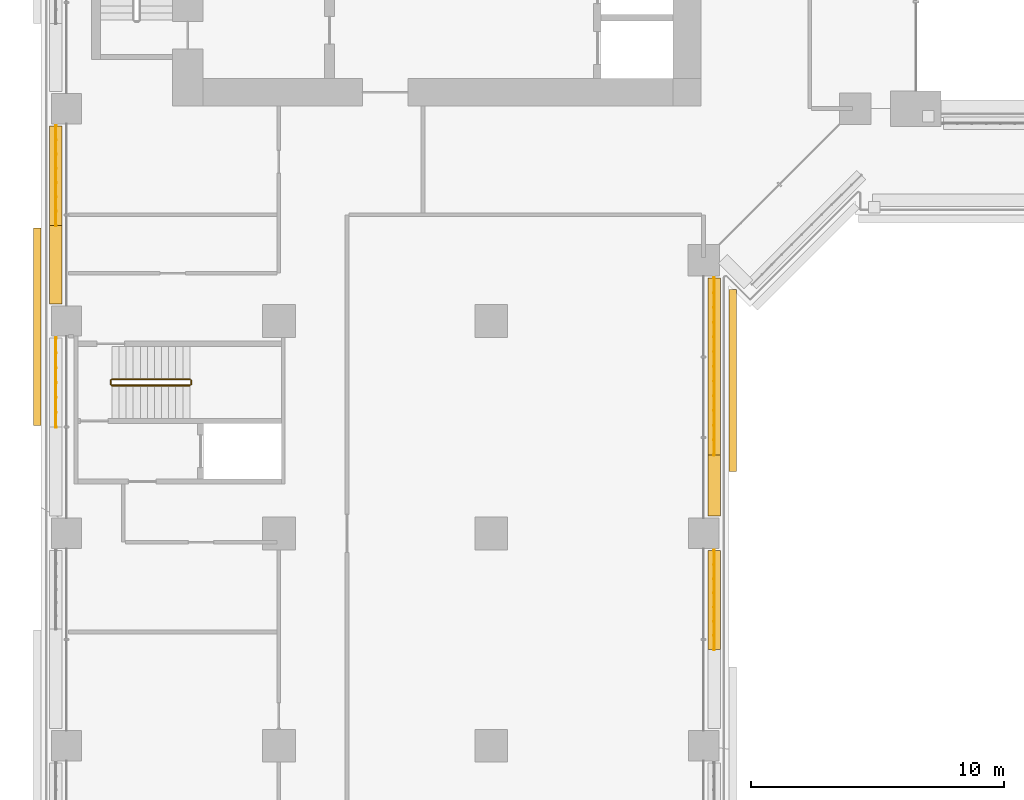
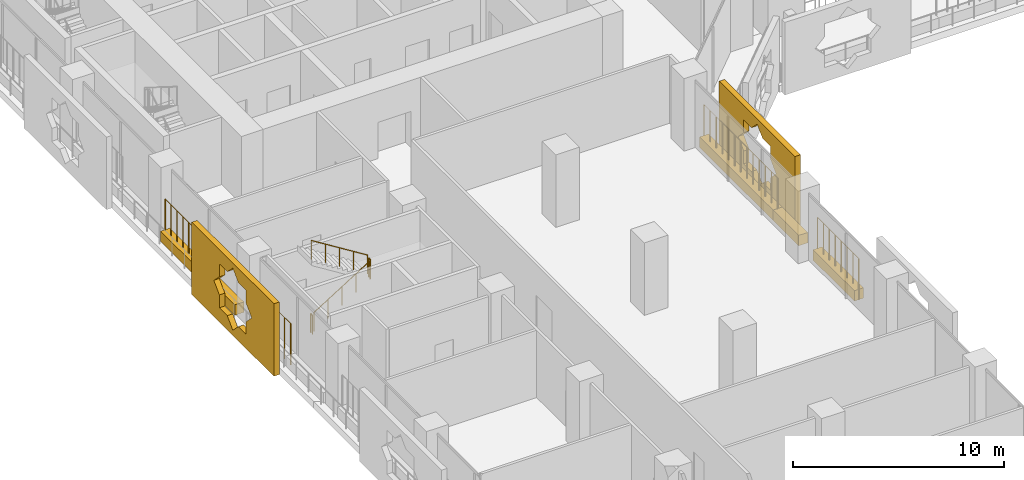
# One storey, part 19 of 27: 8 railings, 7 coverings.
"""IFC4 building model written with IfcOpenShell, lengths in metres."""

from ifc_helpers import new_model, si_unit, direction, frame, origin, origin_2d, place, context, subcontext, project, spatial, polyline, rectangle, circle, outline, extrude, material, material_profile, profile_set, type_object, element, save


model = new_model("IFC4")

# Units and contexts
model_context = context("Model", 3, precision=1e-05, world=origin(), true_north=direction((0.0, 1.0)))
body_context = subcontext(model_context, "Body", "Model", "MODEL_VIEW")
ifc_project = project(units=[si_unit("LENGTHUNIT", "METRE"), si_unit("AREAUNIT", "SQUARE_METRE"), si_unit("VOLUMEUNIT", "CUBIC_METRE"), si_unit("PLANEANGLEUNIT", "RADIAN"), si_unit("MASSUNIT", "GRAM", prefix="KILO")], contexts=[model_context])

# Site, building, storey
site_placement = place(None, origin())
site = spatial("IfcSite", under=ifc_project, at=site_placement, CompositionType="ELEMENT")
building_placement = place(site_placement, origin())
building = spatial("IfcBuilding", under=site, at=building_placement, Name="Kawkab Arch Medical Tower", CompositionType="ELEMENT")
storey_placement = place(building_placement, frame((0.0, 0.0, 43.39990234375)))
storey = spatial("IfcBuildingStorey", under=building, at=storey_placement, Name="L09", CompositionType="ELEMENT", Elevation=43.39990234375)

# Coverings
ifc_material_1 = material(Name="Bronze anodised aluminium mashrabiya panel, eight-point star pattern", Category="aluminium")
ifc_material_profile_1 = material_profile(ifc_material_1, outline(polyline([(-3.60009765625, -2.10009765625), (3.60009765625, -2.10009765625), (3.60009765625, 2.10009765625), (-3.60009765625, 2.10009765625), (-3.60009765625, -2.10009765625)]), holes=[polyline([(1.800048828125, 0.0), (1.272705078125, 0.527099609375), (1.272705078125, 1.272705078125), (0.527099609375, 1.272705078125), (0.0, 1.800048828125), (-0.527099609375, 1.272705078125), (-1.272705078125, 1.272705078125), (-1.272705078125, 0.527099609375), (-1.800048828125, 0.0), (-1.272705078125, -0.527099609375), (-1.272705078125, -1.272705078125), (-0.527099609375, -1.272705078125), (0.0, -1.800048828125), (0.527099609375, -1.272705078125), (1.272705078125, -1.272705078125), (1.272705078125, -0.527099609375), (1.800048828125, 0.0)])]), Name="Mashrabiya panel 7200x4200")
ifc_profile_set_1 = profile_set([ifc_material_profile_1], Name="Bronze anodised aluminium mashrabiya panel, eight-point star pattern")
covering_type_1 = type_object("IfcCoveringType", Name="Mashrabiya panel 7200 x 4200", PredefinedType="USERDEFINED", material=ifc_profile_set_1)
covering_1_placement = place(storey_placement, frame((26.199951171875, -35.944580078125, 1.7001953125), z_axis=(1.0, 0.0, 0.0), x_axis=(0.0, 1.0, 0.0)))
element("IfcCovering", 1, at=covering_1_placement, inside=storey, type_object=covering_type_1, Name="Mashrabiya panel L09.LOG-01-02.16", ObjectType="SCREEN", PredefinedType="USERDEFINED", context=body_context, shape_type="SweptSolid", body=[
    extrude(outline(polyline([(-3.60009765625, -2.10009765625), (3.60009765625, -2.10009765625), (3.60009765625, 2.10009765625), (-3.60009765625, 2.10009765625), (-3.60009765625, -2.10009765625)]), holes=[polyline([(1.800048828125, 0.0), (1.272705078125, 0.527099609375), (1.272705078125, 1.272705078125), (0.527099609375, 1.272705078125), (0.0, 1.800048828125), (-0.527099609375, 1.272705078125), (-1.272705078125, 1.272705078125), (-1.272705078125, 0.527099609375), (-1.800048828125, 0.0), (-1.272705078125, -0.527099609375), (-1.272705078125, -1.272705078125), (-0.527099609375, -1.272705078125), (0.0, -1.800048828125), (0.527099609375, -1.272705078125), (1.272705078125, -1.272705078125), (1.272705078125, -0.527099609375), (1.800048828125, 0.0)])]), origin(), (0.0, 0.0, 1.0), 0.300048828125),
])
ifc_material_2 = material(Name="Bronze anodised aluminium mashrabiya panel, eight-point star pattern", Category="aluminium")
ifc_material_profile_2 = material_profile(ifc_material_2, outline(polyline([(-3.89990234375, -2.10009765625), (3.89990234375, -2.10009765625), (3.89990234375, 2.10009765625), (-3.89990234375, 2.10009765625), (-3.89990234375, -2.10009765625)]), holes=[polyline([(1.800048828125, 0.0), (1.272705078125, 0.527099609375), (1.272705078125, 1.272705078125), (0.527099609375, 1.272705078125), (0.0, 1.800048828125), (-0.527099609375, 1.272705078125), (-1.272705078125, 1.272705078125), (-1.272705078125, 0.527099609375), (-1.800048828125, 0.0), (-1.272705078125, -0.527099609375), (-1.272705078125, -1.272705078125), (-0.527099609375, -1.272705078125), (0.0, -1.800048828125), (0.527099609375, -1.272705078125), (1.272705078125, -1.272705078125), (1.272705078125, -0.527099609375), (1.800048828125, 0.0)])]), Name="Mashrabiya panel 7800x4200")
ifc_profile_set_2 = profile_set([ifc_material_profile_2], Name="Bronze anodised aluminium mashrabiya panel, eight-point star pattern")
covering_type_2 = type_object("IfcCoveringType", Name="Mashrabiya panel 7800 x 4200", PredefinedType="USERDEFINED", material=ifc_profile_set_2)
covering_2_placement = place(storey_placement, frame((-1.0, -33.82470703125, 1.7001953125), z_axis=(-1.0, 0.0, 0.0), x_axis=(0.0, -1.0, 0.0)))
element("IfcCovering", 2, at=covering_2_placement, inside=storey, type_object=covering_type_2, Name="Mashrabiya panel L09.LOG-01-02.4", ObjectType="SCREEN", PredefinedType="USERDEFINED", context=body_context, shape_type="SweptSolid", body=[
    extrude(outline(polyline([(-3.89990234375, -2.10009765625), (3.89990234375, -2.10009765625), (3.89990234375, 2.10009765625), (-3.89990234375, 2.10009765625), (-3.89990234375, -2.10009765625)]), holes=[polyline([(1.800048828125, 0.0), (1.272705078125, 0.527099609375), (1.272705078125, 1.272705078125), (0.527099609375, 1.272705078125), (0.0, 1.800048828125), (-0.527099609375, 1.272705078125), (-1.272705078125, 1.272705078125), (-1.272705078125, 0.527099609375), (-1.800048828125, 0.0), (-1.272705078125, -0.527099609375), (-1.272705078125, -1.272705078125), (-0.527099609375, -1.272705078125), (0.0, -1.800048828125), (0.527099609375, -1.272705078125), (1.272705078125, -1.272705078125), (1.272705078125, -0.527099609375), (1.800048828125, 0.0)])]), origin(), (0.0, 0.0, 1.0), 0.300048828125),
])
ifc_material_3 = material(Name="Planting soil in a precast trough", Category="concrete")
ifc_material_profile_3 = material_profile(ifc_material_3, rectangle(XDim=0.5, YDim=0.60009765625, at=origin_2d()), Name="Trough 500x600")
ifc_profile_set_3 = profile_set([ifc_material_profile_3], Name="Planting soil in a precast trough")
covering_type_3 = type_object("IfcCoveringType", Name="Planter trough 500 x 600", PredefinedType="USERDEFINED", material=ifc_profile_set_3)
covering_3_placement = place(storey_placement, frame((-0.419921875, -32.919921875, 0.300048828125), z_axis=(0.0, 1.0, 0.0), x_axis=(-1.0, 0.0, 0.0)))
element("IfcCovering", 3, at=covering_3_placement, inside=storey, type_object=covering_type_3, Name="Planter L09.LOG-01-02.16", ObjectType="PLANTER", PredefinedType="USERDEFINED", context=body_context, shape_type="SweptSolid", body=[
    extrude(rectangle(XDim=0.5, YDim=0.60009765625, at=origin_2d()), origin(), (0.0, 0.0, 1.0), 3.100830078125),
])
covering_4_placement = place(storey_placement, frame((-0.419921875, -29.819091796875, 0.300048828125), z_axis=(0.0, 1.0, 0.0), x_axis=(-1.0, 0.0, 0.0)))
element("IfcCovering", 4, at=covering_4_placement, inside=storey, type_object=covering_type_3, Name="Planter L09.LOG-01-02.17", ObjectType="PLANTER", PredefinedType="USERDEFINED", context=body_context, shape_type="SweptSolid", body=[
    extrude(rectangle(XDim=0.5, YDim=0.60009765625, at=origin_2d()), origin(), (0.0, 0.0, 1.0), 3.939208984375),
])
covering_5_placement = place(storey_placement, frame((25.6201171875, -31.905029296875, 0.300048828125), z_axis=(0.0, -1.0, 0.0), x_axis=(1.0, 0.0, 0.0)))
element("IfcCovering", 5, at=covering_5_placement, inside=storey, type_object=covering_type_3, Name="Planter L09.LOG-01-02.49", ObjectType="PLANTER", PredefinedType="USERDEFINED", context=body_context, shape_type="SweptSolid", body=[
    extrude(rectangle(XDim=0.5, YDim=0.60009765625, at=origin_2d()), origin(), (0.0, 0.0, 1.0), 6.988037109375),
])
covering_6_placement = place(storey_placement, frame((25.6201171875, -38.89306640625, 0.300048828125), z_axis=(0.0, -1.0, 0.0), x_axis=(1.0, 0.0, 0.0)))
element("IfcCovering", 6, at=covering_6_placement, inside=storey, type_object=covering_type_3, Name="Planter L09.LOG-01-02.50", ObjectType="PLANTER", PredefinedType="USERDEFINED", context=body_context, shape_type="SweptSolid", body=[
    extrude(rectangle(XDim=0.5, YDim=0.60009765625, at=origin_2d()), origin(), (0.0, 0.0, 1.0), 2.427001953125),
])
covering_7_placement = place(storey_placement, frame((25.6201171875, -42.679931640625, 0.300048828125), z_axis=(0.0, -1.0, 0.0), x_axis=(1.0, 0.0, 0.0)))
element("IfcCovering", 7, at=covering_7_placement, inside=storey, type_object=covering_type_3, Name="Planter L09.LOG-01-02.51", ObjectType="PLANTER", PredefinedType="USERDEFINED", context=body_context, shape_type="SweptSolid", body=[
    extrude(rectangle(XDim=0.5, YDim=0.60009765625, at=origin_2d()), origin(), (0.0, 0.0, 1.0), 3.921142578125),
])

# Railings
ifc_material_4 = material(Name="Bronze anodised aluminium trellis for climbing plants", Category="aluminium")
railing_type_1 = type_object("IfcRailingType", Name="Planting trellis 2400", PredefinedType="USERDEFINED", material=ifc_material_4)
railing_1_placement = place(storey_placement, frame((-0.419921875, -37.800048828125, 0.0)))
element("IfcRailing", 8, at=railing_1_placement, inside=storey, type_object=railing_type_1, Name="Planting trellis L09.LOG-01-02.15", ObjectType="TRELLIS", PredefinedType="USERDEFINED", context=body_context, shape_type="SweptSolid", body=[
    extrude(circle(Radius=0.01513671875, at=origin_2d()), frame((0.0, 0.0, 2.384765625), z_axis=(0.0, 1.0, 0.0), x_axis=(-1.0, 0.0, 0.0)), (0.0, 0.0, 1.0), 3.52001953125),
    extrude(circle(Radius=0.030029296875, at=origin_2d()), origin(), (0.0, 0.0, 1.0), 2.369873046875),
    extrude(circle(Radius=0.030029296875, at=origin_2d()), frame((0.0, 0.586669921875, 0.0)), (0.0, 0.0, 1.0), 2.369873046875),
    extrude(circle(Radius=0.030029296875, at=origin_2d()), frame((0.0, 1.17333984375, 0.0)), (0.0, 0.0, 1.0), 2.369873046875),
    extrude(circle(Radius=0.030029296875, at=origin_2d()), frame((0.0, 1.760009765625, 0.0)), (0.0, 0.0, 1.0), 2.369873046875),
    extrude(circle(Radius=0.030029296875, at=origin_2d()), frame((0.0, 2.3466796875, 0.0)), (0.0, 0.0, 1.0), 2.369873046875),
    extrude(circle(Radius=0.030029296875, at=origin_2d()), frame((0.0, 2.933349609375, 0.0)), (0.0, 0.0, 1.0), 2.369873046875),
    extrude(circle(Radius=0.030029296875, at=origin_2d()), frame((0.0, 3.52001953125, 0.0)), (0.0, 0.0, 1.0), 2.369873046875),
])
railing_2_placement = place(storey_placement, frame((-0.419921875, -29.819091796875, 0.0)))
element("IfcRailing", 9, at=railing_2_placement, inside=storey, type_object=railing_type_1, Name="Planting trellis L09.LOG-01-02.17", ObjectType="TRELLIS", PredefinedType="USERDEFINED", context=body_context, shape_type="SweptSolid", body=[
    extrude(circle(Radius=0.01513671875, at=origin_2d()), frame((0.0, 0.0, 2.384765625), z_axis=(0.0, 1.0, 0.0), x_axis=(-1.0, 0.0, 0.0)), (0.0, 0.0, 1.0), 3.939208984375),
    extrude(circle(Radius=0.030029296875, at=origin_2d()), origin(), (0.0, 0.0, 1.0), 2.369873046875),
    extrude(circle(Radius=0.030029296875, at=origin_2d()), frame((0.0, 0.562744140625, 0.0)), (0.0, 0.0, 1.0), 2.369873046875),
    extrude(circle(Radius=0.030029296875, at=origin_2d()), frame((0.0, 1.12548828125, 0.0)), (0.0, 0.0, 1.0), 2.369873046875),
    extrude(circle(Radius=0.030029296875, at=origin_2d()), frame((0.0, 1.688232421875, 0.0)), (0.0, 0.0, 1.0), 2.369873046875),
    extrude(circle(Radius=0.030029296875, at=origin_2d()), frame((0.0, 2.2509765625, 0.0)), (0.0, 0.0, 1.0), 2.369873046875),
    extrude(circle(Radius=0.030029296875, at=origin_2d()), frame((0.0, 2.813720703125, 0.0)), (0.0, 0.0, 1.0), 2.369873046875),
    extrude(circle(Radius=0.030029296875, at=origin_2d()), frame((0.0, 3.37646484375, 0.0)), (0.0, 0.0, 1.0), 2.369873046875),
    extrude(circle(Radius=0.030029296875, at=origin_2d()), frame((0.0, 3.939208984375, 0.0)), (0.0, 0.0, 1.0), 2.369873046875),
])
railing_3_placement = place(storey_placement, frame((25.6201171875, -31.905029296875, 0.0)))
element("IfcRailing", 10, at=railing_3_placement, inside=storey, type_object=railing_type_1, Name="Planting trellis L09.LOG-01-02.49", ObjectType="TRELLIS", PredefinedType="USERDEFINED", context=body_context, shape_type="SweptSolid", body=[
    extrude(circle(Radius=0.01513671875, at=origin_2d()), frame((0.0, 0.0, 2.384765625), z_axis=(0.0, -1.0, 0.0), x_axis=(1.0, 0.0, 0.0)), (0.0, 0.0, 1.0), 6.988037109375),
    extrude(circle(Radius=0.030029296875, at=origin_2d()), origin(), (0.0, 0.0, 1.0), 2.369873046875),
    extrude(circle(Radius=0.030029296875, at=origin_2d()), frame((0.0, -0.582275390625, 0.0)), (0.0, 0.0, 1.0), 2.369873046875),
    extrude(circle(Radius=0.030029296875, at=origin_2d()), frame((0.0, -1.16455078125, 0.0)), (0.0, 0.0, 1.0), 2.369873046875),
    extrude(circle(Radius=0.030029296875, at=origin_2d()), frame((0.0, -1.7470703125, 0.0)), (0.0, 0.0, 1.0), 2.369873046875),
    extrude(circle(Radius=0.030029296875, at=origin_2d()), frame((0.0, -2.329345703125, 0.0)), (0.0, 0.0, 1.0), 2.369873046875),
    extrude(circle(Radius=0.030029296875, at=origin_2d()), frame((0.0, -2.91162109375, 0.0)), (0.0, 0.0, 1.0), 2.369873046875),
    extrude(circle(Radius=0.030029296875, at=origin_2d()), frame((0.0, -3.494140625, 0.0)), (0.0, 0.0, 1.0), 2.369873046875),
    extrude(circle(Radius=0.030029296875, at=origin_2d()), frame((0.0, -4.076416015625, 0.0)), (0.0, 0.0, 1.0), 2.369873046875),
    extrude(circle(Radius=0.030029296875, at=origin_2d()), frame((0.0, -4.65869140625, 0.0)), (0.0, 0.0, 1.0), 2.369873046875),
    extrude(circle(Radius=0.030029296875, at=origin_2d()), frame((0.0, -5.240966796875, 0.0)), (0.0, 0.0, 1.0), 2.369873046875),
    extrude(circle(Radius=0.030029296875, at=origin_2d()), frame((0.0, -5.8232421875, 0.0)), (0.0, 0.0, 1.0), 2.369873046875),
    extrude(circle(Radius=0.030029296875, at=origin_2d()), frame((0.0, -6.40576171875, 0.0)), (0.0, 0.0, 1.0), 2.369873046875),
    extrude(circle(Radius=0.030029296875, at=origin_2d()), frame((0.0, -6.988037109375, 0.0)), (0.0, 0.0, 1.0), 2.369873046875),
])
railing_4_placement = place(storey_placement, frame((25.6201171875, -42.679931640625, 0.0)))
element("IfcRailing", 11, at=railing_4_placement, inside=storey, type_object=railing_type_1, Name="Planting trellis L09.LOG-01-02.51", ObjectType="TRELLIS", PredefinedType="USERDEFINED", context=body_context, shape_type="SweptSolid", body=[
    extrude(circle(Radius=0.01513671875, at=origin_2d()), frame((0.0, 0.0, 2.384765625), z_axis=(0.0, -1.0, 0.0), x_axis=(1.0, 0.0, 0.0)), (0.0, 0.0, 1.0), 3.921142578125),
    extrude(circle(Radius=0.030029296875, at=origin_2d()), origin(), (0.0, 0.0, 1.0), 2.369873046875),
    extrude(circle(Radius=0.030029296875, at=origin_2d()), frame((0.0, -0.56005859375, 0.0)), (0.0, 0.0, 1.0), 2.369873046875),
    extrude(circle(Radius=0.030029296875, at=origin_2d()), frame((0.0, -1.120361328125, 0.0)), (0.0, 0.0, 1.0), 2.369873046875),
    extrude(circle(Radius=0.030029296875, at=origin_2d()), frame((0.0, -1.680419921875, 0.0)), (0.0, 0.0, 1.0), 2.369873046875),
    extrude(circle(Radius=0.030029296875, at=origin_2d()), frame((0.0, -2.24072265625, 0.0)), (0.0, 0.0, 1.0), 2.369873046875),
    extrude(circle(Radius=0.030029296875, at=origin_2d()), frame((0.0, -2.80078125, 0.0)), (0.0, 0.0, 1.0), 2.369873046875),
    extrude(circle(Radius=0.030029296875, at=origin_2d()), frame((0.0, -3.361083984375, 0.0)), (0.0, 0.0, 1.0), 2.369873046875),
    extrude(circle(Radius=0.030029296875, at=origin_2d()), frame((0.0, -3.921142578125, 0.0)), (0.0, 0.0, 1.0), 2.369873046875),
])
ifc_material_5 = material(Name="Stainless steel", Category="steel")
railing_type_2 = type_object("IfcRailingType", Name="Stair guard 1100", PredefinedType="GUARDRAIL", material=ifc_material_5)
railing_5_placement = place(storey_placement, frame((1.800048828125, -36.14990234375, 0.175048828125)))
element("IfcRailing", 12, at=railing_5_placement, inside=storey, type_object=railing_type_2, Name="L09 ST6 stair guard 1", PredefinedType="GUARDRAIL", context=body_context, shape_type="SweptSolid", body=[
    extrude(circle(Radius=0.02392578125, at=origin_2d()), frame((0.0, 0.0, 1.076171875), z_axis=(0.847979421464, 0.0, 0.530029150871), x_axis=(0.0, 1.0, 0.0)), (0.0, 0.0, 1.0), 3.632080078125),
    extrude(circle(Radius=0.02099609375, at=origin_2d()), origin(), (0.0, 0.0, 1.0), 1.052001953125),
    extrude(circle(Radius=0.02099609375, at=origin_2d()), frame((0.77001953125, 0.0, 0.481201171875)), (0.0, 0.0, 1.0), 1.052001953125),
    extrude(circle(Radius=0.02099609375, at=origin_2d()), frame((1.5400390625, 0.0, 0.96240234375)), (0.0, 0.0, 1.0), 1.052001953125),
    extrude(circle(Radius=0.02099609375, at=origin_2d()), frame((2.309814453125, 0.0, 1.44384765625)), (0.0, 0.0, 1.0), 1.052001953125),
    extrude(circle(Radius=0.02099609375, at=origin_2d()), frame((3.079833984375, 0.0, 1.925048828125)), (0.0, 0.0, 1.0), 1.052001953125),
])
railing_6_placement = place(storey_placement, frame((4.929931640625, -36.10009765625, 2.10009765625)))
element("IfcRailing", 13, at=railing_6_placement, inside=storey, type_object=railing_type_2, Name="L09 ST6 stair guard 2", PredefinedType="GUARDRAIL", context=body_context, shape_type="SweptSolid", body=[
    extrude(circle(Radius=0.02392578125, at=origin_2d()), frame((0.0, 0.0, 1.076171875), z_axis=(0.0, 1.0, 0.0), x_axis=(-1.0, 0.0, 0.0)), (0.0, 0.0, 1.0), 0.150146484375),
    extrude(circle(Radius=0.02099609375, at=origin_2d()), origin(), (0.0, 0.0, 1.0), 1.052001953125),
    extrude(circle(Radius=0.02099609375, at=origin_2d()), frame((0.0, 0.150146484375, 0.0)), (0.0, 0.0, 1.0), 1.052001953125),
])
railing_7_placement = place(storey_placement, frame((4.8798828125, -35.89990234375, 2.275146484375)))
element("IfcRailing", 14, at=railing_7_placement, inside=storey, type_object=railing_type_2, Name="L09 ST6 stair guard 3", PredefinedType="GUARDRAIL", context=body_context, shape_type="SweptSolid", body=[
    extrude(circle(Radius=0.02392578125, at=origin_2d()), frame((0.0, 0.0, 1.076171875), z_axis=(-0.847979421464, 0.0, 0.530029150871), x_axis=(0.0, -1.0, 0.0)), (0.0, 0.0, 1.0), 3.632080078125),
    extrude(circle(Radius=0.02099609375, at=origin_2d()), origin(), (0.0, 0.0, 1.0), 1.052001953125),
    extrude(circle(Radius=0.02099609375, at=origin_2d()), frame((-0.77001953125, 0.0, 0.481201171875)), (0.0, 0.0, 1.0), 1.052001953125),
    extrude(circle(Radius=0.02099609375, at=origin_2d()), frame((-1.5400390625, 0.0, 0.96240234375)), (0.0, 0.0, 1.0), 1.052001953125),
    extrude(circle(Radius=0.02099609375, at=origin_2d()), frame((-2.309814453125, 0.0, 1.44384765625)), (0.0, 0.0, 1.0), 1.052001953125),
    extrude(circle(Radius=0.02099609375, at=origin_2d()), frame((-3.079833984375, 0.0, 1.925048828125)), (0.0, 0.0, 1.0), 1.052001953125),
])
railing_8_placement = place(storey_placement, frame((1.75, -36.10009765625, 0.0)))
element("IfcRailing", 15, at=railing_8_placement, inside=storey, type_object=railing_type_2, Name="L09 ST6 stair guard 4", PredefinedType="GUARDRAIL", context=body_context, shape_type="SweptSolid", body=[
    extrude(circle(Radius=0.02392578125, at=origin_2d()), frame((0.0, 0.0, 1.076171875), z_axis=(0.0, 1.0, 0.0), x_axis=(-1.0, 0.0, 0.0)), (0.0, 0.0, 1.0), 0.150146484375),
    extrude(circle(Radius=0.02099609375, at=origin_2d()), origin(), (0.0, 0.0, 1.0), 1.052001953125),
    extrude(circle(Radius=0.02099609375, at=origin_2d()), frame((0.0, 0.150146484375, 0.0)), (0.0, 0.0, 1.0), 1.052001953125),
])

save(model, "model.ifc")
